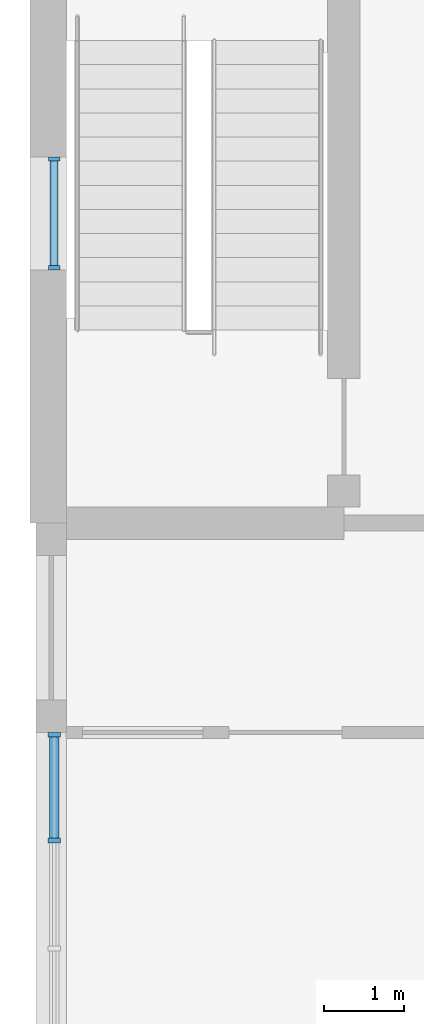
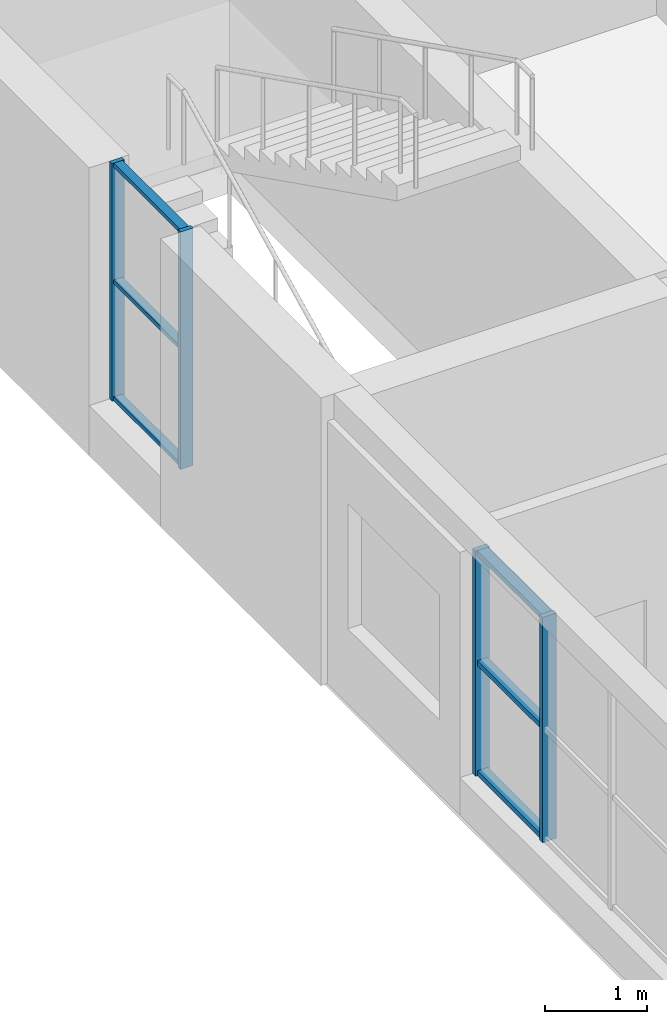
# One storey, part 15 of 94: 10 members, 2 elements without a shape of their own.
"""IFC4 building model written with IfcOpenShell, lengths in metres."""

from ifc_helpers import new_model, si_unit, direction, frame, origin, origin_2d, place, context, subcontext, project, spatial, rectangle, extrude, material, material_profile, profile_set, type_object, element, aggregate, save


model = new_model("IFC4")

# Units and contexts
model_context = context("Model", 3, precision=1e-05, world=origin(), true_north=direction((0.0, 1.0)))
body_context = subcontext(model_context, "Body", "Model", "MODEL_VIEW")
ifc_project = project(units=[si_unit("LENGTHUNIT", "METRE"), si_unit("AREAUNIT", "SQUARE_METRE"), si_unit("VOLUMEUNIT", "CUBIC_METRE"), si_unit("PLANEANGLEUNIT", "RADIAN"), si_unit("MASSUNIT", "GRAM", prefix="KILO")], contexts=[model_context])

# Site, building, storey
site_placement = place(None, origin())
site = spatial("IfcSite", under=ifc_project, at=site_placement, CompositionType="ELEMENT")
building_placement = place(site_placement, origin())
building = spatial("IfcBuilding", under=site, at=building_placement, Name="Yavir Park General Hospital", CompositionType="ELEMENT")
storey_placement = place(building_placement, frame((0.0, 0.0, 4.5)))
storey = spatial("IfcBuildingStorey", under=building, at=storey_placement, Name="L01", CompositionType="ELEMENT", Elevation=4.5)

# Curtain wall, members
ifc_material_1 = material(Name="Aluminium curtain wall frame with insulated glazing", Category="aluminium")
curtain_wall_type_1 = type_object("IfcCurtainWallType", Name="Stair light slot, podium, 2850 high, 1400 module", PredefinedType="NOTDEFINED", material=ifc_material_1)
curtain_wall_1_placement = place(storey_placement, origin())
curtain_wall_1 = element("IfcCurtainWall", 1, at=curtain_wall_1_placement, inside=storey, type_object=curtain_wall_type_1, Name="CW9 L01-016", PredefinedType="NOTDEFINED")
ifc_material_2 = material(Name="Aluminium", Category="aluminium")
ifc_material_profile_1 = material_profile(ifc_material_2, rectangle(XDim=0.139892578125, YDim=0.050048828125, at=origin_2d()), Name="AL 50x140")
ifc_profile_set_1 = profile_set([ifc_material_profile_1], Name="Aluminium")
member_type_1 = type_object("IfcMemberType", Name="Stair light slot, podium, 2850 high mullion 50 x 140", PredefinedType="MULLION", material=ifc_profile_set_1)
member_1_placement = place(storey_placement, frame((0.0, 19.97509765625, 0.60009765625), z_axis=(0.0, 0.0, 1.0), x_axis=(-1.0, 0.0, 0.0)))
member_1 = element("IfcMember", 2, at=member_1_placement, type_object=member_type_1, Name="CW9 mullion 1", PredefinedType="MULLION", context=body_context, shape_type="SweptSolid", body=[
    extrude(rectangle(XDim=0.139892578125, YDim=0.050048828125, at=origin_2d()), origin(), (0.0, 0.0, 1.0), 2.849853515625),
])
member_2_placement = place(storey_placement, frame((0.0, 21.324951171875, 0.60009765625), z_axis=(0.0, 0.0, 1.0), x_axis=(-1.0, 0.0, 0.0)))
member_2 = element("IfcMember", 3, at=member_2_placement, type_object=member_type_1, Name="CW9 mullion 2", PredefinedType="MULLION", context=body_context, shape_type="SweptSolid", body=[
    extrude(rectangle(XDim=0.139892578125, YDim=0.050048828125, at=origin_2d()), origin(), (0.0, 0.0, 1.0), 2.849853515625),
])
ifc_material_3 = material(Name="Aluminium", Category="aluminium")
ifc_material_profile_2 = material_profile(ifc_material_3, rectangle(XDim=0.10009765625, YDim=0.050048828125, at=origin_2d()), Name="AL 100x50")
ifc_profile_set_2 = profile_set([ifc_material_profile_2], Name="Aluminium")
member_type_2 = type_object("IfcMemberType", Name="Stair light slot, podium, 2850 high transom 50 x 100", PredefinedType="MULLION", material=ifc_profile_set_2)
member_3_placement = place(storey_placement, frame((0.0, 20.0, 0.625), z_axis=(0.0, 1.0, 0.0), x_axis=(-1.0, 0.0, 0.0)))
member_3 = element("IfcMember", 4, at=member_3_placement, type_object=member_type_2, Name="CW9 transom 1.1", PredefinedType="MULLION", context=body_context, shape_type="SweptSolid", body=[
    extrude(rectangle(XDim=0.10009765625, YDim=0.050048828125, at=origin_2d()), origin(), (0.0, 0.0, 1.0), 1.300048828125),
])
member_4_placement = place(storey_placement, frame((0.0, 20.0, 2.02490234375), z_axis=(0.0, 1.0, 0.0), x_axis=(-1.0, 0.0, 0.0)))
member_4 = element("IfcMember", 5, at=member_4_placement, type_object=member_type_2, Name="CW9 transom 1.2", PredefinedType="MULLION", context=body_context, shape_type="SweptSolid", body=[
    extrude(rectangle(XDim=0.10009765625, YDim=0.050048828125, at=origin_2d()), origin(), (0.0, 0.0, 1.0), 1.300048828125),
])
member_5_placement = place(storey_placement, frame((0.0, 20.0, 3.425048828125), z_axis=(0.0, 1.0, 0.0), x_axis=(-1.0, 0.0, 0.0)))
member_5 = element("IfcMember", 6, at=member_5_placement, type_object=member_type_2, Name="CW9 transom 1.3", PredefinedType="MULLION", context=body_context, shape_type="SweptSolid", body=[
    extrude(rectangle(XDim=0.10009765625, YDim=0.050048828125, at=origin_2d()), origin(), (0.0, 0.0, 1.0), 1.300048828125),
])
aggregate(curtain_wall_1, [member_1, member_2, member_3, member_4, member_5])

ifc_material_4 = material(Name="Aluminium curtain wall frame with insulated glazing", Category="aluminium")
curtain_wall_type_2 = type_object("IfcCurtainWallType", Name="Waiting area glazing, 2700 high, 1400 module", PredefinedType="NOTDEFINED", material=ifc_material_4)
curtain_wall_2_placement = place(storey_placement, origin())
curtain_wall_2 = element("IfcCurtainWall", 7, at=curtain_wall_2_placement, inside=storey, type_object=curtain_wall_type_2, Name="CW16 L01-015", PredefinedType="NOTDEFINED")
ifc_material_5 = material(Name="Aluminium", Category="aluminium")
ifc_material_profile_3 = material_profile(ifc_material_5, rectangle(XDim=0.159912109375, YDim=0.06005859375, at=origin_2d()), Name="AL 60x160")
ifc_profile_set_3 = profile_set([ifc_material_profile_3], Name="Aluminium")
member_type_3 = type_object("IfcMemberType", Name="Waiting area glazing, 2700 high mullion 60 x 160", PredefinedType="MULLION", material=ifc_profile_set_3)
member_6_placement = place(storey_placement, frame((0.0, 12.856201171875, 0.449951171875), z_axis=(0.0, 0.0, 1.0), x_axis=(-1.0, 0.0, 0.0)))
member_6 = element("IfcMember", 8, at=member_6_placement, type_object=member_type_3, Name="CW16 mullion 4", PredefinedType="MULLION", context=body_context, shape_type="SweptSolid", body=[
    extrude(rectangle(XDim=0.159912109375, YDim=0.06005859375, at=origin_2d()), origin(), (0.0, 0.0, 1.0), 2.699951171875),
])
member_7_placement = place(storey_placement, frame((0.0, 14.169921875, 0.449951171875), z_axis=(0.0, 0.0, 1.0), x_axis=(-1.0, 0.0, 0.0)))
member_7 = element("IfcMember", 9, at=member_7_placement, type_object=member_type_3, Name="CW16 mullion 5", PredefinedType="MULLION", context=body_context, shape_type="SweptSolid", body=[
    extrude(rectangle(XDim=0.159912109375, YDim=0.06005859375, at=origin_2d()), origin(), (0.0, 0.0, 1.0), 2.699951171875),
])
ifc_material_6 = material(Name="Aluminium", Category="aluminium")
ifc_material_profile_4 = material_profile(ifc_material_6, rectangle(XDim=0.1201171875, YDim=0.06005859375, at=origin_2d()), Name="AL 120x60")
ifc_profile_set_4 = profile_set([ifc_material_profile_4], Name="Aluminium")
member_type_4 = type_object("IfcMemberType", Name="Waiting area glazing, 2700 high transom 60 x 120", PredefinedType="MULLION", material=ifc_profile_set_4)
member_8_placement = place(storey_placement, frame((0.0, 12.88623046875, 0.47998046875), z_axis=(0.0, 1.0, 0.0), x_axis=(-1.0, 0.0, 0.0)))
member_8 = element("IfcMember", 10, at=member_8_placement, type_object=member_type_4, Name="CW16 transom 4.1", PredefinedType="MULLION", context=body_context, shape_type="SweptSolid", body=[
    extrude(rectangle(XDim=0.1201171875, YDim=0.06005859375, at=origin_2d()), origin(), (0.0, 0.0, 1.0), 1.253662109375),
])
member_9_placement = place(storey_placement, frame((0.0, 12.88623046875, 1.800048828125), z_axis=(0.0, 1.0, 0.0), x_axis=(-1.0, 0.0, 0.0)))
member_9 = element("IfcMember", 11, at=member_9_placement, type_object=member_type_4, Name="CW16 transom 4.2", PredefinedType="MULLION", context=body_context, shape_type="SweptSolid", body=[
    extrude(rectangle(XDim=0.1201171875, YDim=0.06005859375, at=origin_2d()), origin(), (0.0, 0.0, 1.0), 1.253662109375),
])
member_10_placement = place(storey_placement, frame((0.0, 12.88623046875, 3.1201171875), z_axis=(0.0, 1.0, 0.0), x_axis=(-1.0, 0.0, 0.0)))
member_10 = element("IfcMember", 12, at=member_10_placement, type_object=member_type_4, Name="CW16 transom 4.3", PredefinedType="MULLION", context=body_context, shape_type="SweptSolid", body=[
    extrude(rectangle(XDim=0.1201171875, YDim=0.06005859375, at=origin_2d()), origin(), (0.0, 0.0, 1.0), 1.253662109375),
])
aggregate(curtain_wall_2, [member_6, member_7, member_8, member_9, member_10])

save(model, "model.ifc")
